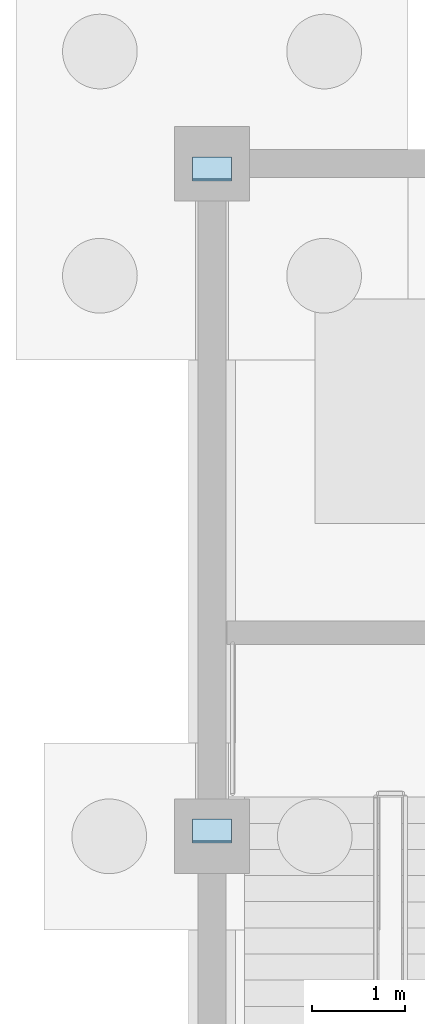
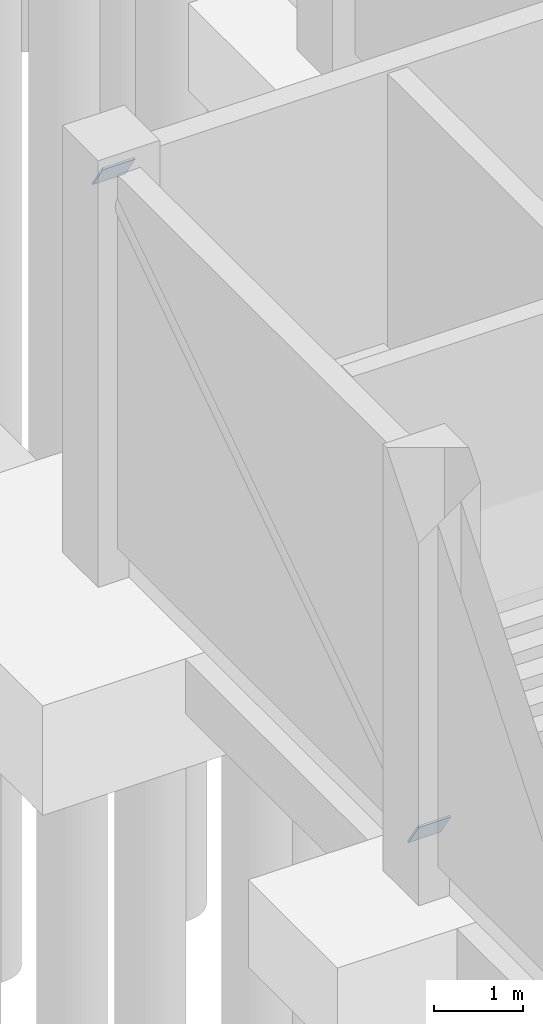
# One storey, part 14 of 35: 2 plates.
"""IFC4 building model written with IfcOpenShell, lengths in metres."""

from ifc_helpers import new_model, si_unit, direction, frame, origin, origin_2d, place, context, subcontext, project, spatial, rectangle, extrude, material, layer, layer_set, type_object, element, save


model = new_model("IFC4")

# Units and contexts
model_context = context("Model", 3, precision=1e-05, world=origin(), true_north=direction((0.0, 1.0)))
body_context = subcontext(model_context, "Body", "Model", "MODEL_VIEW")
ifc_project = project(units=[si_unit("LENGTHUNIT", "METRE"), si_unit("AREAUNIT", "SQUARE_METRE"), si_unit("VOLUMEUNIT", "CUBIC_METRE"), si_unit("PLANEANGLEUNIT", "RADIAN"), si_unit("MASSUNIT", "GRAM", prefix="KILO")], contexts=[model_context])

# Site, building, storey
site_placement = place(None, origin())
site = spatial("IfcSite", under=ifc_project, at=site_placement, CompositionType="ELEMENT")
building_placement = place(site_placement, origin())
building = spatial("IfcBuilding", under=site, at=building_placement, Name="Vesperath Aquatics Centre", CompositionType="ELEMENT")
storey_placement = place(building_placement, frame((0.0, 0.0, -5.39990234375)))
storey = spatial("IfcBuildingStorey", under=building, at=storey_placement, Name="B1", CompositionType="ELEMENT", Elevation=-5.39990234375)

# Plates
ifc_material = material(Name="Steel Q355D", Category="steel")
ifc_layer = layer(ifc_material, 0.02392578125)
ifc_layer_set = layer_set([ifc_layer], Name="Steel Q355D")
plate_type = type_object("IfcPlateType", Name="PT-TN04", PredefinedType="SHEET", material=ifc_layer_set)
for number, where, z_axis, x_axis, name in (
    (1, (0.0, 36.046630859375, 0.180908203125), (0.0, 0.832050294338, 0.554700196225), (-1.0, 0.0, 0.0), "Truss Node Cap Plate TN04"),
    (2, (0.0, 43.13330078125, 4.905517578125), (0.0, 0.832050294338, 0.554700196225), (-1.0, 0.0, 0.0), "Truss Node Cap Plate TN04"),
):
    element("IfcPlate", number, at=place(storey_placement, frame(where, z_axis=z_axis, x_axis=x_axis)), inside=storey, type_object=plate_type, Name=name, PredefinedType="SHEET", context=body_context, shape_type="SweptSolid", body=[
        extrude(rectangle(XDim=0.419921875, YDim=0.419921875, at=origin_2d()), origin(), (0.0, 0.0, 1.0), 0.02392578125),
    ])

save(model, "model.ifc")
